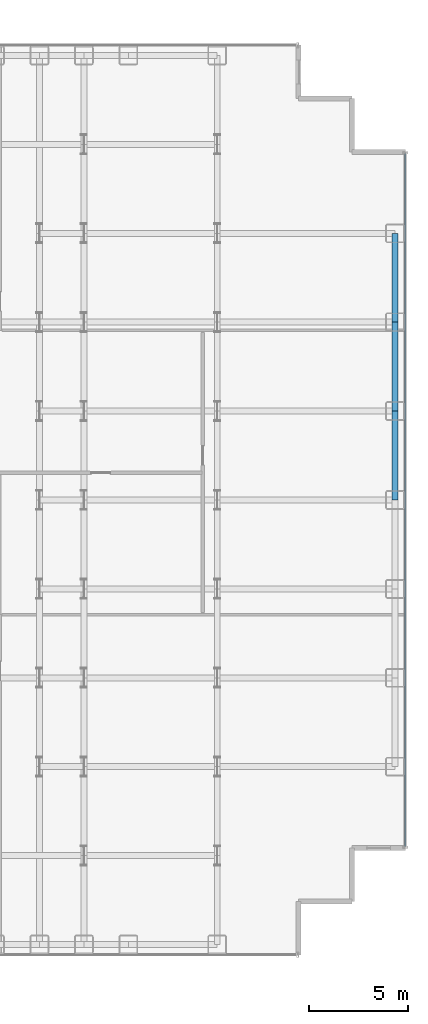
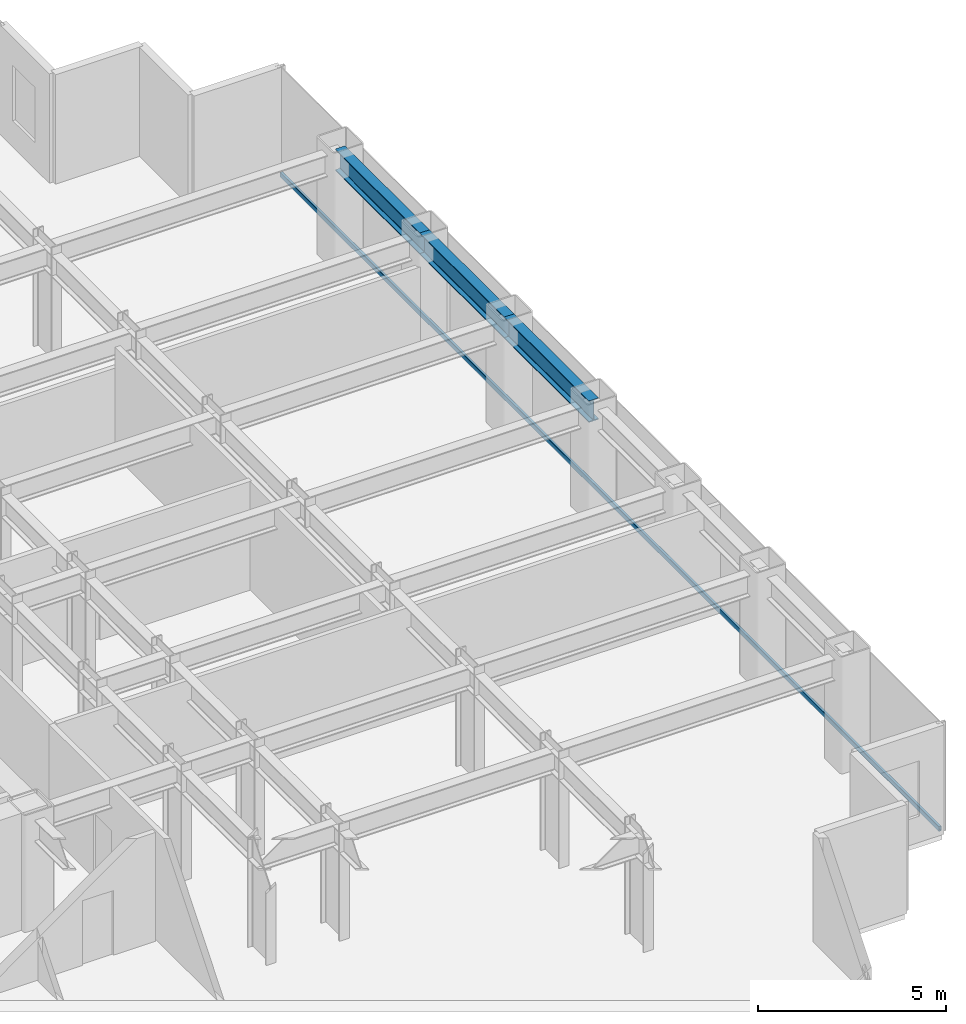
# One storey, part 17 of 25: 3 beams, 1 member, 1 element without a shape of its own.
"""IFC4 building model written with IfcOpenShell, lengths in metres."""

from ifc_helpers import new_model, si_unit, direction, frame, origin, origin_2d, place, context, subcontext, project, spatial, hollow_rectangle, i_section, extrude, source, transform, mapped, material, layer, layer_set, material_profile, profile_set, type_object, element, aggregate, save


model = new_model("IFC4")

# Units and contexts
model_context = context("Model", 3, precision=1e-05, world=origin(), true_north=direction((0.0, 1.0)))
body_context = subcontext(model_context, "Body", "Model", "MODEL_VIEW")
ifc_project = project(units=[si_unit("LENGTHUNIT", "METRE"), si_unit("AREAUNIT", "SQUARE_METRE"), si_unit("VOLUMEUNIT", "CUBIC_METRE"), si_unit("PLANEANGLEUNIT", "RADIAN"), si_unit("MASSUNIT", "GRAM", prefix="KILO")], contexts=[model_context])

# Site, building, storey
site_placement = place(None, origin())
site = spatial("IfcSite", under=ifc_project, at=site_placement, CompositionType="ELEMENT")
building_placement = place(site_placement, origin())
building = spatial("IfcBuilding", under=site, at=building_placement, Name="Nefas-Gora Pilgrimage Tower", CompositionType="ELEMENT")
storey_placement = place(building_placement, frame((0.0, 0.0, 71.0)))
storey = spatial("IfcBuildingStorey", under=building, at=storey_placement, Name="L16", CompositionType="ELEMENT", Elevation=71.0)

# Beams
ifc_material_1 = material(Name="Steel S355", Category="steel")
ifc_material_profile_1 = material_profile(ifc_material_1, i_section(OverallWidth=0.300048828125, OverallDepth=0.699951171875, WebThickness=0.01708984375, FlangeThickness=0.031982421875, FilletRadius=0.027099609375, at=origin_2d()), Name="HEB 700")
ifc_profile_set_1 = profile_set([ifc_material_profile_1], Name="Steel S355")
beam_type = type_object("IfcBeamType", Name="BM-SPN-HEB600", PredefinedType="SPANDREL", material=ifc_profile_set_1)
shared_shape_1 = source(origin(), body_context, "Body", "SweptSolid", [
    extrude(i_section(OverallWidth=0.300048828125, OverallDepth=0.699951171875, WebThickness=0.01708984375, FlangeThickness=0.031982421875, FilletRadius=0.027099609375, at=origin_2d()), origin(), (0.0, 0.0, 1.0), 4.5),
])
for number, where, z_axis, x_axis, name in (
    (1, (33.75, 0.0, 3.199951171875), (0.0, 1.0, 0.0), (-1.0, 0.0, 0.0), "L16 SP-01 beam"),
    (2, (33.75, 4.5, 3.199951171875), (0.0, 1.0, 0.0), (-1.0, 0.0, 0.0), "L16 SP-01 beam"),
    (3, (33.75, 9.0, 3.199951171875), (0.0, 1.0, 0.0), (-1.0, 0.0, 0.0), "L16 SP-01 beam"),
):
    element("IfcBeam", number, at=place(storey_placement, frame(where, z_axis=z_axis, x_axis=x_axis)), inside=storey, type_object=beam_type, Name=name, PredefinedType="SPANDREL", context=body_context, shape_type="MappedRepresentation", body=[
        mapped(shared_shape_1, transform((0.0, 0.0, 0.0), x_axis=(1.0, 0.0, 0.0), y_axis=(0.0, 1.0, 0.0), z_axis=(0.0, 0.0, 1.0), scale=1.0)),
    ])

# Curtain wall, member
ifc_material_2 = material(Name="Dark ceramic-fritted solar-control aluminium-glass curtain wall", Category="aluminium")
ifc_layer = layer(ifc_material_2, 0.219970703125)
ifc_layer_set = layer_set([ifc_layer], Name="Dark ceramic-fritted solar-control aluminium-glass curtain wall")
curtain_wall_type = type_object("IfcCurtainWallType", Name="CW-SYS-2", PredefinedType="NOTDEFINED", material=ifc_layer_set)
curtain_wall_placement = place(storey_placement, origin())
curtain_wall = element("IfcCurtainWall", 4, at=curtain_wall_placement, inside=storey, type_object=curtain_wall_type, Name="L16 Unitised Curtain Wall CW2", PredefinedType="NOTDEFINED")
ifc_material_3 = material(Name="Anodised architectural aluminium", Category="aluminium")
ifc_material_profile_2 = material_profile(ifc_material_3, hollow_rectangle(XDim=0.080078125, YDim=0.159912109375, WallThickness=0.00439453125, InnerFilletRadius=0.00439453125, OuterFilletRadius=0.009033203125, at=origin_2d()), Name="ALU TRANSOM 80x160")
ifc_profile_set_2 = profile_set([ifc_material_profile_2], Name="Anodised architectural aluminium")
member_type = type_object("IfcMemberType", Name="CWM-TRN-2", PredefinedType="USERDEFINED", material=ifc_profile_set_2)
shared_shape_2 = source(origin(), body_context, "Body", "SweptSolid", [
    extrude(hollow_rectangle(XDim=0.080078125, YDim=0.159912109375, WallThickness=0.00439453125, InnerFilletRadius=0.00439453125, OuterFilletRadius=0.009033203125, at=origin_2d()), origin(), (0.0, 0.0, 1.0), 35.06005859375),
])
member_placement = place(storey_placement, frame((34.27001953125, -17.530029296875, 0.050048828125), z_axis=(0.0, 1.0, 0.0), x_axis=(-1.0, 0.0, 0.0)))
member = element("IfcMember", 5, at=member_placement, type_object=member_type, Name="CW2 Spandrel Transom", ObjectType="TRANSOM", PredefinedType="USERDEFINED", context=body_context, shape_type="MappedRepresentation", body=[
    mapped(shared_shape_2, transform((0.0, 0.0, 0.0), x_axis=(1.0, 0.0, 0.0), y_axis=(0.0, 1.0, 0.0), z_axis=(0.0, 0.0, 1.0), scale=1.0)),
])
aggregate(curtain_wall, [member])

save(model, "model.ifc")
